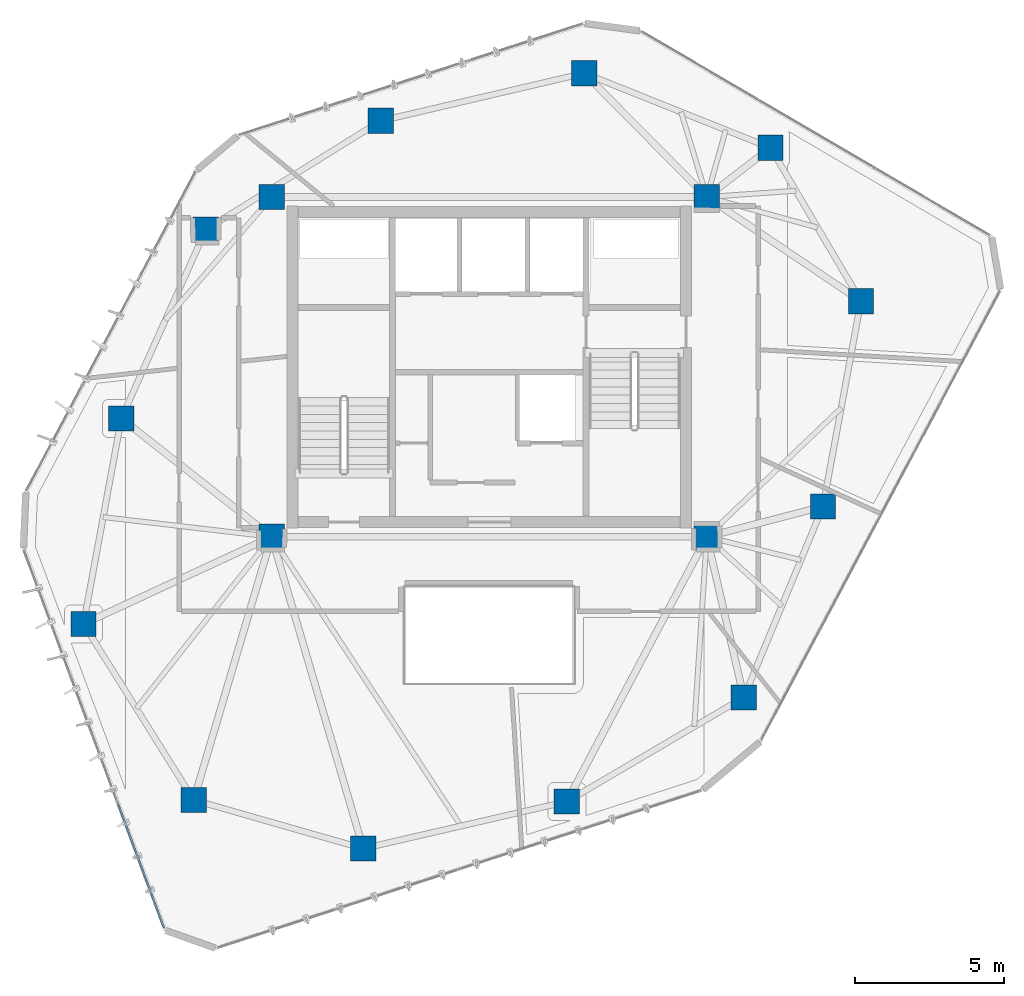
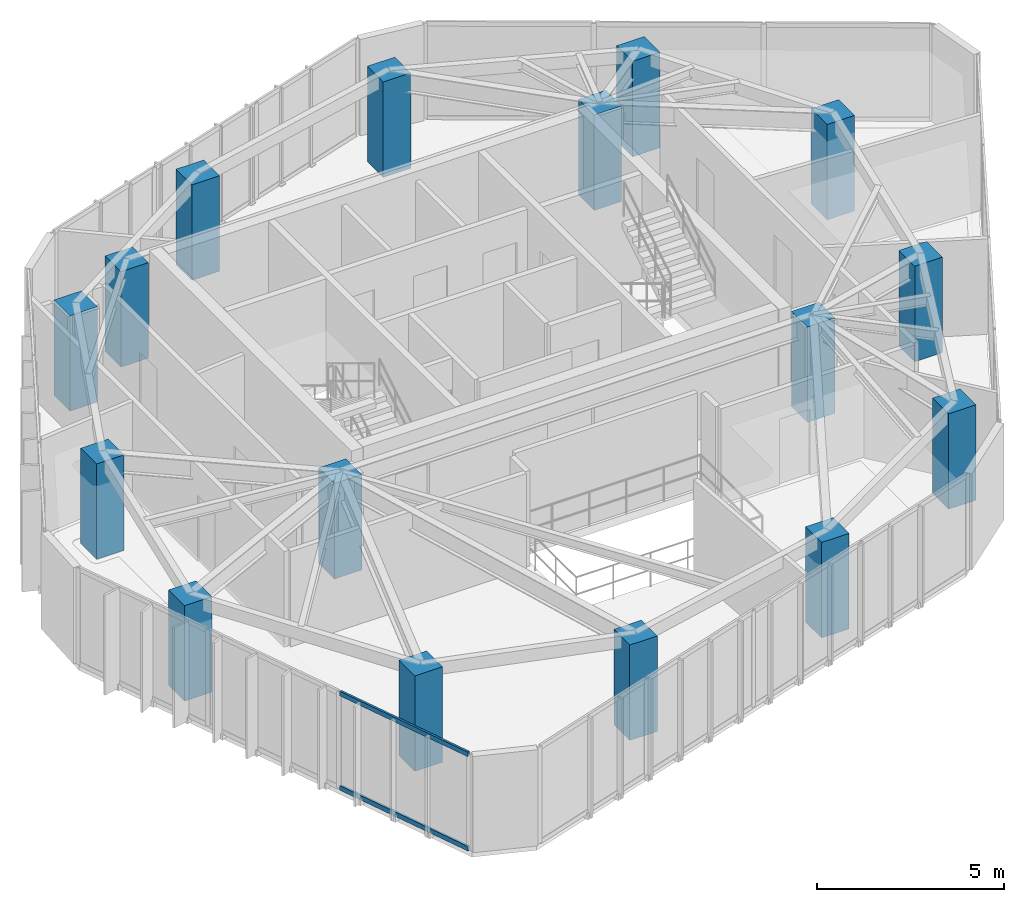
# One storey, part 1 of 19: 16 columns, 2 members, 1 element without a shape of its own.
"""IFC4 building model written with IfcOpenShell, lengths in metres."""

import ifcopenshell
import ifcopenshell.guid

model = None  # the IFC model being written
_history = None  # IfcOwnerHistory: only IFC2X3 demands one
_inside = {}  # id of a spatial element -> (the spatial element, [elements in it])
_under = {}  # id of a project, library or spatial element -> (it, [spatial elements below it])
_declared = {}  # id of a project -> (the project, [libraries it declares])
_typed = {}  # id of a type object -> (the type object, [elements of that type])
_made_of = {}  # id of a material, layer set ... -> (it, [elements and type objects made of it])


def new_model(schema):
    """Start an empty IFC model of exactly this schema.

    Asked for "IFC4X3", IfcOpenShell would pick the latest addendum, in which some entities
    have other attributes; the version numbers below select the first issue.
    IFC2X3 requires an IfcOwnerHistory on every rooted entity: one is made here for all.
    """
    global model, _history
    if schema == "IFC4X3":
        model = ifcopenshell.file(schema_version=(4, 3, 0, 0))
    else:
        model = ifcopenshell.file(schema=schema)
    _inside.clear()
    _under.clear()
    _declared.clear()
    _typed.clear()
    _made_of.clear()
    _history = None
    if model.schema == "IFC2X3":
        org = make("IfcOrganization", Name="unknown")
        user = make(
            "IfcPersonAndOrganization",
            ThePerson=make("IfcPerson", FamilyName="unknown"),
            TheOrganization=org,
        )
        app = make(
            "IfcApplication",
            ApplicationDeveloper=org,
            Version="unknown",
            ApplicationFullName="unknown",
            ApplicationIdentifier="unknown",
        )
        _history = make(
            "IfcOwnerHistory",
            OwningUser=user,
            OwningApplication=app,
            ChangeAction="ADDED",
            CreationDate=0,
        )
    return model


def make(cls, **values):
    """One entity of the class cls with the attributes given. An attribute that is None is left unset."""
    return model.create_entity(
        cls, **{name: value for name, value in values.items() if value is not None}
    )


def rooted(cls, **values):
    """An entity with a GlobalId (a new one), such as an element, a storey or a relation."""
    return make(cls, GlobalId=ifcopenshell.guid.new(), OwnerHistory=_history, **values)


def si_unit(unit_type, name, prefix=None):
    """IfcSIUnit, for example si_unit("LENGTHUNIT", "METRE", prefix="MILLI")."""
    return make("IfcSIUnit", UnitType=unit_type, Prefix=prefix, Name=name)


def assignment(units):
    """IfcUnitAssignment: the units of a project."""
    return None if units is None else make("IfcUnitAssignment", Units=units)


def point(xyz):
    """IfcCartesianPoint."""
    return None if xyz is None else make("IfcCartesianPoint", Coordinates=xyz)


def direction(xyz):
    """IfcDirection."""
    return None if xyz is None else make("IfcDirection", DirectionRatios=xyz)


def frame(location, z_axis=None, x_axis=None):
    """IfcAxis2Placement3D, a coordinate frame: its origin and axes. An axis left out is left unset."""
    return make(
        "IfcAxis2Placement3D",
        Location=point(location),
        Axis=direction(z_axis),
        RefDirection=direction(x_axis),
    )


def frame_2d(location, x_axis=None):
    """IfcAxis2Placement2D, a coordinate frame in the plane: its origin and x axis."""
    return make(
        "IfcAxis2Placement2D", Location=point(location), RefDirection=direction(x_axis)
    )


def origin():
    """The frame at (0, 0, 0) with its axes left unset."""
    return frame((0.0, 0.0, 0.0))


def origin_2d():
    """The frame at (0, 0) in the plane with its x axis left unset."""
    return frame_2d((0.0, 0.0))


def place(relative_to, where):
    """IfcLocalPlacement: puts the frame where relative to a parent placement (None: the world)."""
    return make(
        "IfcLocalPlacement", PlacementRelTo=relative_to, RelativePlacement=where
    )


def context(
    kind, dimensions, precision=None, world=None, true_north=None, identifier=None
):
    """IfcGeometricRepresentationContext, for example the 3D "Model" context."""
    return make(
        "IfcGeometricRepresentationContext",
        ContextIdentifier=identifier,
        ContextType=kind,
        CoordinateSpaceDimension=dimensions,
        Precision=precision,
        WorldCoordinateSystem=world,
        TrueNorth=true_north,
    )


def subcontext(parent, identifier, kind, view, scale=None):
    """IfcGeometricRepresentationSubContext, for example "Body" below "Model"."""
    return make(
        "IfcGeometricRepresentationSubContext",
        ContextIdentifier=identifier,
        ContextType=kind,
        ParentContext=parent,
        TargetScale=scale,
        TargetView=view,
    )


def project(units=None, contexts=None):
    """IfcProject with its units and contexts."""
    return rooted(
        "IfcProject",
        Name="project",
        RepresentationContexts=contexts,
        UnitsInContext=assignment(units),
    )


def spatial(cls, under=None, at=None, **own):
    """A site, building, storey or space (cls), placed at a placement, below another one or the project."""
    s = rooted(cls, ObjectPlacement=at, **own)
    if under is not None:
        _under.setdefault(under.id(), (under, []))[1].append(s)
    return s


def profile(cls, at=None, kind="AREA", **sizes):
    """A parametric profile (cls). Its sizes go by their IFC names, for example OverallWidth=200.0."""
    return make(cls, ProfileType=kind, Position=at, **sizes)


def rectangle(**sizes):
    """IfcRectangleProfileDef."""
    return profile("IfcRectangleProfileDef", **sizes)


def hollow_rectangle(**sizes):
    """IfcRectangleHollowProfileDef."""
    return profile("IfcRectangleHollowProfileDef", **sizes)


def extrude(swept, where, along, depth):
    """IfcExtrudedAreaSolid: the profile swept, set in the frame where, extruded along a direction by depth."""
    return make(
        "IfcExtrudedAreaSolid",
        SweptArea=swept,
        Position=where,
        ExtrudedDirection=direction(along),
        Depth=depth,
    )


def shape(context_of_items, identifier, shape_type, items):
    """IfcShapeRepresentation: the items that make up one representation, for example the "Body"."""
    return make(
        "IfcShapeRepresentation",
        ContextOfItems=context_of_items,
        RepresentationIdentifier=identifier,
        RepresentationType=shape_type,
        Items=items,
    )


def source(mapping_origin, context_of_items, identifier, shape_type, items):
    """IfcRepresentationMap: a shape defined once, which mapped items show again and again."""
    return make(
        "IfcRepresentationMap",
        MappingOrigin=mapping_origin,
        MappedRepresentation=shape(context_of_items, identifier, shape_type, items),
    )


def transform(
    local_origin,
    x_axis=None,
    y_axis=None,
    z_axis=None,
    scale=None,
    scale2=None,
    scale3=None,
    uniform=True,
):
    """IfcCartesianTransformationOperator3D, or its non-uniform kind. x_axis, y_axis, z_axis: its Axis1, 2, 3."""
    if uniform:
        return make(
            "IfcCartesianTransformationOperator3D",
            Axis1=direction(x_axis),
            Axis2=direction(y_axis),
            LocalOrigin=point(local_origin),
            Scale=scale,
            Axis3=direction(z_axis),
        )
    return make(
        "IfcCartesianTransformationOperator3DnonUniform",
        Axis1=direction(x_axis),
        Axis2=direction(y_axis),
        LocalOrigin=point(local_origin),
        Scale=scale,
        Axis3=direction(z_axis),
        Scale2=scale2,
        Scale3=scale3,
    )


def mapped(mapping_source, mapping_target):
    """IfcMappedItem: shows the shape of a source again, moved by a transform."""
    return make(
        "IfcMappedItem", MappingSource=mapping_source, MappingTarget=mapping_target
    )


def material(Name=None, Category=None):
    """IfcMaterial."""
    return make("IfcMaterial", Name=Name, Category=Category)


def layer(
    of_material, thickness, ventilated=None, Name=None, Category=None, Priority=None
):
    """IfcMaterialLayer: one layer of a wall or slab, of a material (None: an air gap)."""
    return make(
        "IfcMaterialLayer",
        Material=of_material,
        LayerThickness=thickness,
        IsVentilated=ventilated,
        Name=Name,
        Category=Category,
        Priority=Priority,
    )


def layer_set(layers, Name=None):
    """IfcMaterialLayerSet."""
    return make("IfcMaterialLayerSet", MaterialLayers=layers, LayerSetName=Name)


def material_profile(
    of_material, cross_section, Name=None, Category=None, Priority=None
):
    """IfcMaterialProfile: a cross section and its material."""
    return make(
        "IfcMaterialProfile",
        Name=Name,
        Material=of_material,
        Profile=cross_section,
        Priority=Priority,
        Category=Category,
    )


def profile_set(profiles, Name=None, composite=None):
    """IfcMaterialProfileSet."""
    return make(
        "IfcMaterialProfileSet",
        Name=Name,
        MaterialProfiles=profiles,
        CompositeProfile=composite,
    )


def made_of(thing, what):
    """Note that an element or type object is made of a material, layer set ...; save() writes the relation."""
    if what is not None:
        _made_of.setdefault(what.id(), (what, []))[1].append(thing)
    return thing


def type_object(cls, material=None, **own):
    """A type object (cls), such as IfcWallType, which elements share."""
    return made_of(rooted(cls, **own), material)


def type_shapes(of_type, sources):
    """Give a type object the sources (RepresentationMaps) that its elements show as mapped items."""
    of_type.RepresentationMaps = sources


def element(
    cls,
    number,
    at=None,
    inside=None,
    cuts=None,
    type_object=None,
    material=None,
    context=None,
    identifier="Body",
    shape_type=None,
    held_by="IfcProductDefinitionShape",
    body=None,
    shapes=None,
    **own,
):
    """One element of the class cls, such as IfcWall. Its Tag is "e" and its number.

    at: its placement. inside: the storey or other place that contains it. cuts: it is an
    opening in that element (IfcRelVoidsElement). A single representation is given by context,
    identifier, shape_type and body (its items); several are given by shapes. held_by: the class
    of the entity that holds the representations. save() writes the other relations.
    """
    e = rooted(cls, Tag="e%d" % number, ObjectPlacement=at, **own)
    if body is not None:
        shapes = [shape(context, identifier, shape_type, body)]
    if shapes is not None:
        e.Representation = make(held_by, Representations=shapes)
    if inside is not None:
        _inside.setdefault(inside.id(), (inside, []))[1].append(e)
    if cuts is not None:
        rooted(
            "IfcRelVoidsElement", RelatingBuildingElement=cuts, RelatedOpeningElement=e
        )
    if type_object is not None:
        _typed.setdefault(type_object.id(), (type_object, []))[1].append(e)
    return made_of(e, material)


def aggregate(whole, parts):
    """IfcRelAggregates: a whole, such as a stair, and the parts it consists of."""
    return rooted("IfcRelAggregates", RelatingObject=whole, RelatedObjects=parts)


def save(model, path):
    """Write the relations noted so far, then the file.

    IfcRelAggregates (storeys below a building ...), IfcRelContainedInSpatialStructure (elements
    in a storey), IfcRelDefinesByType, IfcRelAssociatesMaterial and IfcRelDeclares: one each for
    every whole, place, type object, material and project.
    """
    for whole, parts in _under.values():
        aggregate(whole, parts)
    for where, things in _inside.values():
        rooted(
            "IfcRelContainedInSpatialStructure",
            RelatedElements=things,
            RelatingStructure=where,
        )
    for kind, things in _typed.values():
        rooted("IfcRelDefinesByType", RelatedObjects=things, RelatingType=kind)
    for what, things in _made_of.values():
        rooted("IfcRelAssociatesMaterial", RelatedObjects=things, RelatingMaterial=what)
    for by, libraries in _declared.values():
        rooted("IfcRelDeclares", RelatingContext=by, RelatedDefinitions=libraries)
    model.write(path)


model = new_model("IFC4")

# Units and contexts
model_context = context("Model", 3, precision=1e-05, world=origin(), true_north=direction((0.0, 1.0)))
body_context = subcontext(model_context, "Body", "Model", "MODEL_VIEW")
ifc_project = project(units=[si_unit("LENGTHUNIT", "METRE"), si_unit("AREAUNIT", "SQUARE_METRE"), si_unit("VOLUMEUNIT", "CUBIC_METRE"), si_unit("PLANEANGLEUNIT", "RADIAN"), si_unit("MASSUNIT", "GRAM", prefix="KILO")], contexts=[model_context])

# Site, building, storey
site_placement = place(None, origin())
site = spatial("IfcSite", under=ifc_project, at=site_placement, CompositionType="ELEMENT")
building_placement = place(site_placement, origin())
building = spatial("IfcBuilding", under=site, at=building_placement, Name="Talar Marvaseh", CompositionType="ELEMENT")
storey_placement = place(building_placement, frame((0.0, 0.0, 288.39990234375)))
storey = spatial("IfcBuildingStorey", under=building, at=storey_placement, Name="L77", CompositionType="ELEMENT", Elevation=288.39990234375)

# Columns
ifc_material_1 = material(Name="Concrete C50/60", Category="concrete")
ifc_material_profile_1 = material_profile(ifc_material_1, rectangle(XDim=0.85009765625, YDim=0.85009765625, at=origin_2d()), Name="RC850x850")
ifc_profile_set_1 = profile_set([ifc_material_profile_1], Name="Concrete C50/60")
column_type = type_object("IfcColumnType", Name="Zone 4 Tube Column RC850x850", PredefinedType="COLUMN", material=ifc_profile_set_1)
for number, where, z_axis, x_axis, name in (
    (1, (12.388916015625, 22.576904296875, 0.0), (0.0, 0.0, 1.0), (1.0, 0.0, 0.0), "L77 Zone 4 Tube Column RC850x850"),
    (2, (13.657958984375, 29.469970703125, 0.0), (0.0, 0.0, 1.0), (1.0, 0.0, 0.0), "L77 Zone 4 Tube Column RC850x850"),
    (3, (16.493896484375, 35.806884765625, 0.0), (0.0, 0.0, 1.0), (1.0, 0.0, 0.0), "L77 Zone 4 Tube Column RC850x850"),
    (4, (22.364990234375, 39.4541015625, 0.0), (0.0, 0.0, 1.0), (1.0, 0.0, 0.0), "L77 Zone 4 Tube Column RC850x850"),
    (5, (29.18798828125, 41.052001953125, 0.0), (0.0, 0.0, 1.0), (1.0, 0.0, 0.0), "L77 Zone 4 Tube Column RC850x850"),
    (6, (35.43798828125, 38.551025390625, 0.0), (0.0, 0.0, 1.0), (1.0, 0.0, 0.0), "L77 Zone 4 Tube Column RC850x850"),
    (7, (38.470947265625, 33.406005859375, 0.0), (0.0, 0.0, 1.0), (1.0, 0.0, 0.0), "L77 Zone 4 Tube Column RC850x850"),
    (8, (37.197021484375, 26.513916015625, 0.0), (0.0, 0.0, 1.0), (1.0, 0.0, 0.0), "L77 Zone 4 Tube Column RC850x850"),
    (9, (34.5439453125, 20.111083984375, 0.0), (0.0, 0.0, 1.0), (1.0, 0.0, 0.0), "L77 Zone 4 Tube Column RC850x850"),
    (10, (28.60498046875, 16.616943359375, 0.0), (0.0, 0.0, 1.0), (1.0, 0.0, 0.0), "L77 Zone 4 Tube Column RC850x850"),
    (11, (21.77587890625, 15.0400390625, 0.0), (0.0, 0.0, 1.0), (1.0, 0.0, 0.0), "L77 Zone 4 Tube Column RC850x850"),
    (12, (16.0869140625, 16.66796875, 0.0), (0.0, 0.0, 1.0), (1.0, 0.0, 0.0), "L77 Zone 4 Tube Column RC850x850"),
    (13, (18.699951171875, 25.5, 0.0), (0.0, 0.0, 1.0), (1.0, 0.0, 0.0), "L77 Zone 4 Tube Column RC850x850"),
    (14, (33.300048828125, 25.5, 0.0), (0.0, 0.0, 1.0), (1.0, 0.0, 0.0), "L77 Zone 4 Tube Column RC850x850"),
    (15, (33.300048828125, 36.89990234375, 0.0), (0.0, 0.0, 1.0), (1.0, 0.0, 0.0), "L77 Zone 4 Tube Column RC850x850"),
    (16, (18.699951171875, 36.89990234375, 0.0), (0.0, 0.0, 1.0), (1.0, 0.0, 0.0), "L77 Zone 4 Tube Column RC850x850"),
):
    element("IfcColumn", number, at=place(storey_placement, frame(where, z_axis=z_axis, x_axis=x_axis)), inside=storey, type_object=column_type, Name=name, PredefinedType="COLUMN", context=body_context, shape_type="SweptSolid", body=[
        extrude(rectangle(XDim=0.85009765625, YDim=0.85009765625, at=origin_2d()), origin(), (0.0, 0.0, 1.0), 3.114990234375),
    ])

# Curtain wall, members
ifc_material_2 = material(Name="Architectural Aluminium", Category="aluminium")
ifc_layer = layer(ifc_material_2, 0.179931640625)
ifc_layer_set = layer_set([ifc_layer], Name="Architectural Aluminium")
curtain_wall_type = type_object("IfcCurtainWallType", Name="Unitised High-Wind Sky Curtain Wall Z4", PredefinedType="NOTDEFINED", material=ifc_layer_set)
curtain_wall_placement = place(storey_placement, origin())
curtain_wall = element("IfcCurtainWall", 17, at=curtain_wall_placement, inside=storey, type_object=curtain_wall_type, Name="L77 Unitised High-Wind Sky Curtain Wall Z4", PredefinedType="NOTDEFINED")
ifc_material_profile_2 = material_profile(ifc_material_2, hollow_rectangle(XDim=0.06494140625, YDim=0.14990234375, WallThickness=0.00390625, at=origin_2d()), Name="RHS150x65x4")
ifc_profile_set_2 = profile_set([ifc_material_profile_2], Name="Architectural Aluminium")
member_type = type_object("IfcMemberType", Name="Unitised Curtain Wall Slim Transom RHS150x65x4", PredefinedType="USERDEFINED", material=ifc_profile_set_2)
shared_shape = source(origin(), body_context, "Body", "SweptSolid", [
    extrude(hollow_rectangle(XDim=0.06494140625, YDim=0.14990234375, WallThickness=0.00390625, at=origin_2d()), origin(), (0.0, 0.0, 1.0), 4.447265625),
])
type_shapes(member_type, [shared_shape])
member_1_placement = place(storey_placement, frame((15.091796875, 12.3818359375, 0.03271484375), z_axis=(-0.347655826438, 0.937622219417, 0.0), x_axis=(-0.937622219417, -0.347655826438, 0.0)))
member_1 = element("IfcMember", 18, at=member_1_placement, type_object=member_type, Name="CW-Z4 transom 1.1", ObjectType="TRANSOM", PredefinedType="USERDEFINED", context=body_context, shape_type="MappedRepresentation", body=[
    mapped(shared_shape, transform((0.0, 0.0, 0.0), x_axis=(1.0, 0.0, 0.0), y_axis=(0.0, 1.0, 0.0), z_axis=(0.0, 0.0, 1.0), scale=1.0)),
])
member_2_placement = place(storey_placement, frame((15.091796875, 12.3818359375, 3.107666015625), z_axis=(-0.347655826438, 0.937622219417, 0.0), x_axis=(-0.937622219417, -0.347655826438, 0.0)))
member_2 = element("IfcMember", 19, at=member_2_placement, type_object=member_type, Name="CW-Z4 transom 1.2", ObjectType="TRANSOM", PredefinedType="USERDEFINED", context=body_context, shape_type="MappedRepresentation", body=[
    mapped(shared_shape, transform((0.0, 0.0, 0.0), x_axis=(1.0, 0.0, 0.0), y_axis=(0.0, 1.0, 0.0), z_axis=(0.0, 0.0, 1.0), scale=1.0)),
])
aggregate(curtain_wall, [member_1, member_2])

save(model, "model.ifc")
